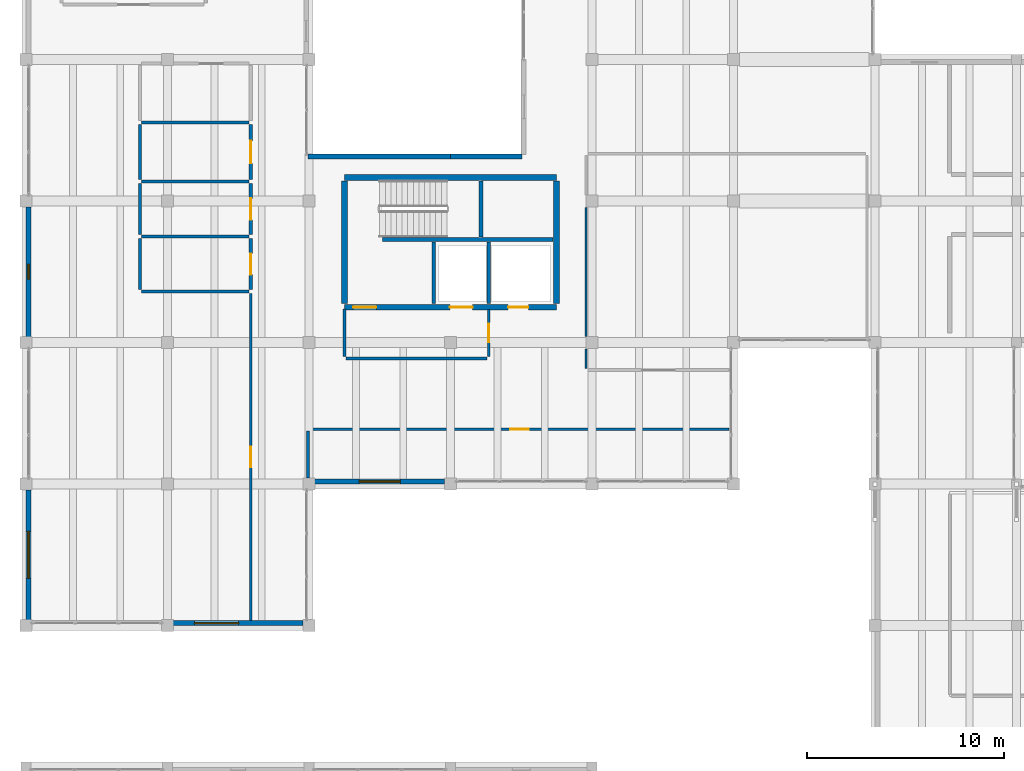
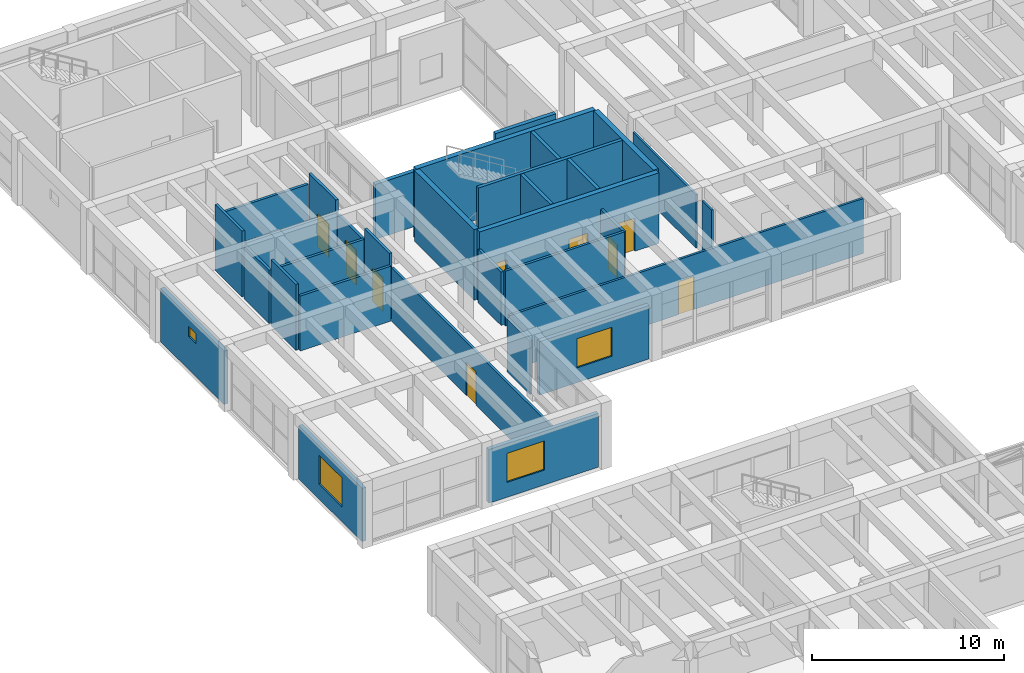
# One storey, part 138 of 153: 32 walls, 9 doors, 4 windows, 13 openings.
"""IFC4 building model written with IfcOpenShell, lengths in metres."""

from ifc_helpers import new_model, si_unit, direction, frame, frame_2d, origin, place, context, subcontext, project, spatial, rectangle, extrude, material, layer, layer_set, type_object, element, fill, save


model = new_model("IFC4")

# Units and contexts
model_context = context("Model", 3, precision=1e-05, world=origin(), true_north=direction((0.0, 1.0)))
body_context = subcontext(model_context, "Body", "Model", "MODEL_VIEW")
ifc_project = project(units=[si_unit("LENGTHUNIT", "METRE"), si_unit("AREAUNIT", "SQUARE_METRE"), si_unit("VOLUMEUNIT", "CUBIC_METRE"), si_unit("PLANEANGLEUNIT", "RADIAN"), si_unit("MASSUNIT", "GRAM", prefix="KILO")], contexts=[model_context])

# Site, building, storey
site_placement = place(None, origin())
site = spatial("IfcSite", under=ifc_project, at=site_placement, CompositionType="ELEMENT")
building_placement = place(site_placement, origin())
building = spatial("IfcBuilding", under=site, at=building_placement, Name="Bramvelor Terrace Health Centre", CompositionType="ELEMENT")
storey_placement = place(building_placement, frame((0.0, 0.0, 4.800048828125)))
storey = spatial("IfcBuildingStorey", under=building, at=storey_placement, Name="L02", CompositionType="ELEMENT", Elevation=4.800048828125)

# Walls
ifc_material_1 = material(Name="Acoustic clinical partition board", Category="gypsum")
ifc_layer_1 = layer(ifc_material_1, 0.1201171875)
ifc_layer_set_1 = layer_set([ifc_layer_1], Name="Acoustic clinical partition board")
wall_type_1 = type_object("IfcWallType", Name="WL-CLN-120", PredefinedType="PARTITIONING", material=ifc_layer_set_1)
wall_1_placement = place(storey_placement, frame((28.5, 85.092041015625, 0.0), z_axis=(0.0, 0.0, 1.0), x_axis=(0.0, 1.0, 0.0)))
element("IfcWall", 1, at=wall_1_placement, inside=storey, type_object=wall_type_1, Name="L02 Interior Partition 194", PredefinedType="PARTITIONING", context=body_context, shape_type="SweptSolid", body=[
    extrude(rectangle(XDim=0.992919921875, YDim=0.1201171875, at=frame_2d((0.49658203125, 0.0))), origin(), (0.0, 0.0, 1.0), 3.39990234375),
])
wall_2_placement = place(storey_placement, frame((28.5, 86.715087890625, 0.0), z_axis=(0.0, 0.0, 1.0), x_axis=(0.0, 1.0, 0.0)))
element("IfcWall", 2, at=wall_2_placement, inside=storey, type_object=wall_type_1, Name="L02 Interior Partition 195", PredefinedType="PARTITIONING", context=body_context, shape_type="SweptSolid", body=[
    extrude(rectangle(XDim=6.56982421875, YDim=0.1201171875, at=frame_2d((3.284912109375, 0.0))), origin(), (0.0, 0.0, 1.0), 3.39990234375),
])

# Wall, opening, door
ifc_material_2 = material(Name="Fire-rated gypsum and mineral wool", Category="gypsum")
ifc_layer_2 = layer(ifc_material_2, 0.139892578125)
ifc_layer_set_2 = layer_set([ifc_layer_2], Name="Fire-rated gypsum and mineral wool")
wall_type_2 = type_object("IfcWallType", Name="WL-COR-140", PredefinedType="PARTITIONING", material=ifc_layer_set_2)
wall_3_placement = place(storey_placement, frame((11.43994140625, 88.89990234375, 0.0), z_axis=(0.0, 0.0, 1.0), x_axis=(0.0, -1.0, 0.0)))
wall_3 = element("IfcWall", 3, at=wall_3_placement, inside=storey, type_object=wall_type_2, Name="L02 Interior Partition 188", PredefinedType="PARTITIONING", context=body_context, shape_type="SweptSolid", body=[
    extrude(rectangle(XDim=16.639892578125, YDim=0.139892578125, at=frame_2d((8.31982421875, 0.0))), origin(), (0.0, 0.0, 1.0), 3.39990234375),
])
opening_1_placement = place(wall_3_placement, frame((7.800048828125, 0.0, 0.0)))
opening_1 = element("IfcOpeningElement", 4, at=opening_1_placement, cuts=wall_3, Name="Opening FD-07", PredefinedType="OPENING", context=body_context, shape_type="SweptSolid", body=[
    extrude(rectangle(XDim=1.0400390625, YDim=2.1201171875, at=frame_2d((0.52001953125, 1.06005859375))), frame((0.0, 0.079833984375, 0.0), z_axis=(0.0, -1.0, 0.0), x_axis=(1.0, 0.0, 0.0)), (0.0, 0.0, 1.0), 0.159912109375),
])
ifc_material_3 = material(Name="Fire-rated steel and vision panel", Category="steel")
door_type_1 = type_object("IfcDoorType", Name="DR-FD60-104", OperationType="NOTDEFINED", PredefinedType="DOOR", material=ifc_material_3)
door_1_placement = place(opening_1_placement, origin())
door_1 = element("IfcDoor", 5, at=door_1_placement, inside=storey, type_object=door_type_1, Name="L02 Cardiology Echocardiography Clinic Fire Door", OperationType="SINGLE_SWING_LEFT", OverallHeight=2.1201171875, OverallWidth=1.0400390625, PredefinedType="DOOR", context=body_context, shape_type="SweptSolid", body=[
    extrude(rectangle(XDim=1.0400390625, YDim=2.1201171875, at=frame_2d((0.52001953125, 1.06005859375))), frame((0.0, 0.02490234375, 0.0), z_axis=(0.0, -1.0, 0.0), x_axis=(1.0, 0.0, 0.0)), (0.0, 0.0, 1.0), 0.050048828125),
])
fill(opening_1, door_1)

# Wall
wall_4_placement = place(storey_placement, frame((14.35205078125, 79.510009765625, 0.0), z_axis=(0.0, 0.0, 1.0), x_axis=(0.0, 1.0, 0.0)))
element("IfcWall", 6, at=wall_4_placement, inside=storey, type_object=wall_type_2, Name="L02 Interior Partition 189", PredefinedType="PARTITIONING", context=body_context, shape_type="SweptSolid", body=[
    extrude(rectangle(XDim=2.389892578125, YDim=0.139892578125, at=frame_2d((1.19482421875, 0.0))), origin(), (0.0, 0.0, 1.0), 3.39990234375),
])

# Wall, opening, door
wall_5_placement = place(storey_placement, frame((14.44189453125, 81.989990234375, 0.0), z_axis=(0.0, 0.0, 1.0), x_axis=(1.0, 0.0, 0.0)))
wall_5 = element("IfcWall", 7, at=wall_5_placement, inside=storey, type_object=wall_type_2, Name="L02 Interior Partition 190", PredefinedType="PARTITIONING", context=body_context, shape_type="SweptSolid", body=[
    extrude(rectangle(XDim=21.328125, YDim=0.139892578125, at=frame_2d((10.6640625, 0.0))), origin(), (0.0, 0.0, 1.0), 3.5),
])
opening_2_placement = place(wall_5_placement, frame((10.194091796875, 0.0, 0.0)))
opening_2 = element("IfcOpeningElement", 8, at=opening_2_placement, cuts=wall_5, Name="Opening FD-08", PredefinedType="OPENING", context=body_context, shape_type="SweptSolid", body=[
    extrude(rectangle(XDim=0.93994140625, YDim=2.10009765625, at=frame_2d((0.469970703125, 1.050048828125))), frame((0.0, 0.079833984375, 0.0), z_axis=(0.0, -1.0, 0.0), x_axis=(1.0, 0.0, 0.0)), (0.0, 0.0, 1.0), 0.159912109375),
])
ifc_material_4 = material(Name="Fire-rated steel and vision panel", Category="steel")
door_type_2 = type_object("IfcDoorType", Name="DR-FD60-094", OperationType="NOTDEFINED", PredefinedType="DOOR", material=ifc_material_4)
door_2_placement = place(opening_2_placement, origin())
door_2 = element("IfcDoor", 9, at=door_2_placement, inside=storey, type_object=door_type_2, Name="L02 Endocrinology and Metabolic Clinic Fire Door", OperationType="SINGLE_SWING_RIGHT", OverallHeight=2.10009765625, OverallWidth=0.93994140625, PredefinedType="DOOR", context=body_context, shape_type="SweptSolid", body=[
    extrude(rectangle(XDim=0.93994140625, YDim=2.10009765625, at=frame_2d((0.469970703125, 1.050048828125))), frame((0.0, 0.02490234375, 0.0), z_axis=(0.0, -1.0, 0.0), x_axis=(1.0, 0.0, 0.0)), (0.0, 0.0, 1.0), 0.050048828125),
])
fill(opening_2, door_2)

# Walls
ifc_material_5 = material(Name="Concrete C40/50", Category="concrete")
ifc_layer_3 = layer(ifc_material_5, 0.199951171875)
ifc_layer_set_3 = layer_set([ifc_layer_3], Name="Concrete C40/50")
wall_type_3 = type_object("IfcWallType", Name="WL-CORE-200", PredefinedType="SHEAR", material=ifc_layer_set_3)
wall_6_placement = place(storey_placement, frame((18.14990234375, 91.64990234375, 0.0), z_axis=(0.0, 0.0, 1.0), x_axis=(1.0, 0.0, 0.0)))
element("IfcWall", 10, at=wall_6_placement, inside=storey, type_object=wall_type_3, Name="C2 L02 Core Shear Wall", PredefinedType="SHEAR", context=body_context, shape_type="SweptSolid", body=[
    extrude(rectangle(XDim=8.670166015625, YDim=0.199951171875, at=frame_2d((4.3349609375, 0.0))), origin(), (0.0, 0.0, 1.0), 4.5),
])
wall_7_placement = place(storey_placement, frame((23.155029296875, 91.77001953125, 0.0), z_axis=(0.0, 0.0, 1.0), x_axis=(0.0, 1.0, 0.0)))
element("IfcWall", 11, at=wall_7_placement, inside=storey, type_object=wall_type_3, Name="C2 L02 Core Shear Wall", PredefinedType="SHEAR", context=body_context, shape_type="SweptSolid", body=[
    extrude(rectangle(XDim=2.85009765625, YDim=0.199951171875, at=frame_2d((1.425048828125, 0.0))), origin(), (0.0, 0.0, 1.0), 4.5),
])
for number, where, z_axis, x_axis, name in (
    (12, (20.75, 88.3798828125, 0.0), (0.0, 0.0, 1.0), (0.0, 1.0, 0.0), "C2 L02 Core Shear Wall"),
    (13, (23.550048828125, 88.3798828125, 0.0), (0.0, 0.0, 1.0), (0.0, 1.0, 0.0), "C2 L02 Lift Divider Wall"),
):
    element("IfcWall", number, at=place(storey_placement, frame(where, z_axis=z_axis, x_axis=x_axis)), inside=storey, type_object=wall_type_3, Name=name, PredefinedType="SHEAR", context=body_context, shape_type="SweptSolid", body=[
        extrude(rectangle(XDim=3.150146484375, YDim=0.199951171875, at=frame_2d((1.5751953125, 0.0))), origin(), (0.0, 0.0, 1.0), 4.5),
    ])

# Wall, openings, doors
ifc_material_6 = material(Name="Concrete C40/50", Category="concrete")
ifc_layer_4 = layer(ifc_material_6, 0.300048828125)
ifc_layer_set_4 = layer_set([ifc_layer_4], Name="Concrete C40/50")
wall_type_4 = type_object("IfcWallType", Name="WL-CORE-300", PredefinedType="SHEAR", material=ifc_layer_set_4)
wall_8_placement = place(storey_placement, frame((16.199951171875, 88.199951171875, 0.0), z_axis=(0.0, 0.0, 1.0), x_axis=(1.0, 0.0, 0.0)))
wall_8 = element("IfcWall", 14, at=wall_8_placement, inside=storey, type_object=wall_type_4, Name="C2 L02 Core Shear Wall", PredefinedType="SHEAR", context=body_context, shape_type="SweptSolid", body=[
    extrude(rectangle(XDim=10.800048828125, YDim=0.300048828125, at=frame_2d((5.39990234375, 0.0))), origin(), (0.0, 0.0, 1.0), 4.5),
])
opening_3_placement = place(wall_8_placement, frame((0.449951171875, 0.0, 0.0)))
opening_3 = element("IfcOpeningElement", 15, at=opening_3_placement, cuts=wall_8, Name="Opening FD-02", PredefinedType="OPENING", context=body_context, shape_type="SweptSolid", body=[
    extrude(rectangle(XDim=1.179931640625, YDim=2.159912109375, at=frame_2d((0.58984375, 1.080078125))), frame((0.0, 0.159912109375, 0.0), z_axis=(0.0, -1.0, 0.0), x_axis=(1.0, 0.0, 0.0)), (0.0, 0.0, 1.0), 0.320068359375),
])
opening_4_placement = place(wall_8_placement, frame((5.375, 0.0, 0.0)))
opening_4 = element("IfcOpeningElement", 16, at=opening_4_placement, cuts=wall_8, Name="Opening LD-1", PredefinedType="OPENING", context=body_context, shape_type="SweptSolid", body=[
    extrude(rectangle(XDim=1.14990234375, YDim=2.14990234375, at=frame_2d((0.574951171875, 1.074951171875))), frame((0.0, 0.159912109375, 0.0), z_axis=(0.0, -1.0, 0.0), x_axis=(1.0, 0.0, 0.0)), (0.0, 0.0, 1.0), 0.320068359375),
])
opening_5_placement = place(wall_8_placement, frame((8.340087890625, 0.0, 0.0)))
opening_5 = element("IfcOpeningElement", 17, at=opening_5_placement, cuts=wall_8, Name="Opening LD-2", PredefinedType="OPENING", context=body_context, shape_type="SweptSolid", body=[
    extrude(rectangle(XDim=1.02001953125, YDim=2.1201171875, at=frame_2d((0.510009765625, 1.06005859375))), frame((0.0, 0.159912109375, 0.0), z_axis=(0.0, -1.0, 0.0), x_axis=(1.0, 0.0, 0.0)), (0.0, 0.0, 1.0), 0.320068359375),
])
ifc_material_7 = material(Name="Fire-rated steel and vision panel", Category="steel")
door_type_3 = type_object("IfcDoorType", Name="DR-FD90-118", OperationType="NOTDEFINED", PredefinedType="DOOR", material=ifc_material_7)
door_3_placement = place(opening_3_placement, origin())
door_3 = element("IfcDoor", 18, at=door_3_placement, inside=storey, type_object=door_type_3, Name="C2 L02 Core Stair Fire Door", OperationType="SINGLE_SWING_LEFT", OverallHeight=2.159912109375, OverallWidth=1.179931640625, PredefinedType="DOOR", context=body_context, shape_type="SweptSolid", body=[
    extrude(rectangle(XDim=1.179931640625, YDim=2.159912109375, at=frame_2d((0.58984375, 1.080078125))), frame((0.0, 0.02490234375, 0.0), z_axis=(0.0, -1.0, 0.0), x_axis=(1.0, 0.0, 0.0)), (0.0, 0.0, 1.0), 0.050048828125),
])
fill(opening_3, door_3)
ifc_material_8 = material(Name="Brushed stainless steel 316", Category="steel")
door_type_4 = type_object("IfcDoorType", Name="DR-LIFT-FF115", OperationType="DOUBLE_DOOR_SLIDING", PredefinedType="DOOR", material=ifc_material_8)
door_4_placement = place(opening_4_placement, origin())
door_4 = element("IfcDoor", 19, at=door_4_placement, inside=storey, type_object=door_type_4, Name="Lift LF-02 L02 Sliding Landing Door", OperationType="DOUBLE_DOOR_SLIDING", OverallHeight=2.14990234375, OverallWidth=1.14990234375, PredefinedType="DOOR", context=body_context, shape_type="SweptSolid", body=[
    extrude(rectangle(XDim=1.14990234375, YDim=2.14990234375, at=frame_2d((0.574951171875, 1.074951171875))), frame((0.0, 0.02490234375, 0.0), z_axis=(0.0, -1.0, 0.0), x_axis=(1.0, 0.0, 0.0)), (0.0, 0.0, 1.0), 0.050048828125),
])
fill(opening_4, door_4)
ifc_material_9 = material(Name="Brushed stainless steel 316", Category="steel")
door_type_5 = type_object("IfcDoorType", Name="DR-LIFT-PS102", OperationType="SLIDING_TO_LEFT", PredefinedType="DOOR", material=ifc_material_9)
door_5_placement = place(opening_5_placement, origin())
door_5 = element("IfcDoor", 20, at=door_5_placement, inside=storey, type_object=door_type_5, Name="Lift LP-02 L02 Sliding Landing Door", OperationType="SLIDING_TO_LEFT", OverallHeight=2.1201171875, OverallWidth=1.02001953125, PredefinedType="DOOR", context=body_context, shape_type="SweptSolid", body=[
    extrude(rectangle(XDim=1.02001953125, YDim=2.1201171875, at=frame_2d((0.510009765625, 1.06005859375))), frame((0.0, 0.02490234375, 0.0), z_axis=(0.0, -1.0, 0.0), x_axis=(1.0, 0.0, 0.0)), (0.0, 0.0, 1.0), 0.050048828125),
])
fill(opening_5, door_5)

# Walls
wall_9_placement = place(storey_placement, frame((16.199951171875, 94.800048828125, 0.0), z_axis=(0.0, 0.0, 1.0), x_axis=(1.0, 0.0, 0.0)))
element("IfcWall", 21, at=wall_9_placement, inside=storey, type_object=wall_type_4, Name="C2 L02 Core Shear Wall", PredefinedType="SHEAR", context=body_context, shape_type="SweptSolid", body=[
    extrude(rectangle(XDim=10.800048828125, YDim=0.300048828125, at=frame_2d((5.39990234375, 0.0))), origin(), (0.0, 0.0, 1.0), 4.5),
])
for number, where, z_axis, x_axis, name in (
    (22, (16.199951171875, 88.3798828125, 0.0), (0.0, 0.0, 1.0), (0.0, 1.0, 0.0), "C2 L02 Core Shear Wall"),
    (23, (27.0, 88.3798828125, 0.0), (0.0, 0.0, 1.0), (0.0, 1.0, 0.0), "C2 L02 Core Shear Wall"),
):
    element("IfcWall", number, at=place(storey_placement, frame(where, z_axis=z_axis, x_axis=x_axis)), inside=storey, type_object=wall_type_4, Name=name, PredefinedType="SHEAR", context=body_context, shape_type="SweptSolid", body=[
        extrude(rectangle(XDim=6.240234375, YDim=0.300048828125, at=frame_2d((3.1201171875, 0.0))), origin(), (0.0, 0.0, 1.0), 4.5),
    ])

# Wall, opening, window
ifc_material_10 = material(Name="Precast concrete C40/50", Category="concrete")
ifc_layer_5 = layer(ifc_material_10, 0.239990234375)
ifc_layer_set_5 = layer_set([ifc_layer_5], Name="Precast concrete C40/50")
wall_type_5 = type_object("IfcWallType", Name="WL-EXT-RC240", PredefinedType="SOLIDWALL", material=ifc_layer_set_5)
wall_10_placement = place(storey_placement, frame((21.304931640625, 79.330078125, 0.0), z_axis=(0.0, 0.0, 1.0), x_axis=(-1.0, 0.0, 0.0)))
wall_10 = element("IfcWall", 24, at=wall_10_placement, inside=storey, type_object=wall_type_5, Name="L02 Exterior Facade Wall 9", PredefinedType="SOLIDWALL", context=body_context, shape_type="SweptSolid", body=[
    extrude(rectangle(XDim=6.60986328125, YDim=0.239990234375, at=frame_2d((3.304931640625, 0.0))), origin(), (0.0, 0.0, 1.0), 3.39990234375),
])
opening_6_placement = place(wall_10_placement, frame((2.2548828125, 0.0, 0.949951171875)))
opening_6 = element("IfcOpeningElement", 25, at=opening_6_placement, cuts=wall_10, Name="Opening WN-58", PredefinedType="OPENING", context=body_context, shape_type="SweptSolid", body=[
    extrude(rectangle(XDim=2.10009765625, YDim=1.85009765625, at=frame_2d((1.050048828125, 0.925048828125))), frame((0.0, 0.1298828125, 0.0), z_axis=(0.0, -1.0, 0.0), x_axis=(1.0, 0.0, 0.0)), (0.0, 0.0, 1.0), 0.260009765625),
])
ifc_material_11 = material(Name="Double low-E laminated glass", Category="glass")
window_type_1 = type_object("IfcWindowType", Name="WIN-EXT-58", PartitioningType="SINGLE_PANEL", PredefinedType="WINDOW", material=ifc_material_11)
window_1_placement = place(opening_6_placement, origin())
window_1 = element("IfcWindow", 26, at=window_1_placement, inside=storey, type_object=window_type_1, Name="L02 Scheduled Clinical Window 58", OverallHeight=1.85009765625, OverallWidth=2.10009765625, PartitioningType="SINGLE_PANEL", PredefinedType="WINDOW", context=body_context, shape_type="SweptSolid", body=[
    extrude(rectangle(XDim=2.10009765625, YDim=1.85009765625, at=frame_2d((1.050048828125, 0.925048828125))), frame((0.0, 0.030029296875, 0.0), z_axis=(0.0, -1.0, 0.0), x_axis=(1.0, 0.0, 0.0)), (0.0, 0.0, 1.0), 0.06005859375),
])
fill(opening_6, window_1)

wall_11_placement = place(storey_placement, frame((14.10498046875, 72.1298828125, 0.0), z_axis=(0.0, 0.0, 1.0), x_axis=(-1.0, 0.0, 0.0)))
wall_11 = element("IfcWall", 27, at=wall_11_placement, inside=storey, type_object=wall_type_5, Name="L02 Exterior Facade Wall 11", PredefinedType="SOLIDWALL", context=body_context, shape_type="SweptSolid", body=[
    extrude(rectangle(XDim=6.60986328125, YDim=0.239990234375, at=frame_2d((3.304931640625, 0.0))), origin(), (0.0, 0.0, 1.0), 3.419921875),
])
opening_7_placement = place(wall_11_placement, frame((3.280029296875, 0.0, 0.949951171875)))
opening_7 = element("IfcOpeningElement", 28, at=opening_7_placement, cuts=wall_11, Name="Opening WN-59", PredefinedType="OPENING", context=body_context, shape_type="SweptSolid", body=[
    extrude(rectangle(XDim=2.25, YDim=1.85009765625, at=frame_2d((1.125, 0.925048828125))), frame((0.0, 0.1298828125, 0.0), z_axis=(0.0, -1.0, 0.0), x_axis=(1.0, 0.0, 0.0)), (0.0, 0.0, 1.0), 0.260009765625),
])
ifc_material_12 = material(Name="Double low-E laminated glass", Category="glass")
window_type_2 = type_object("IfcWindowType", Name="WIN-EXT-59", PartitioningType="SINGLE_PANEL", PredefinedType="WINDOW", material=ifc_material_12)
window_2_placement = place(opening_7_placement, origin())
window_2 = element("IfcWindow", 29, at=window_2_placement, inside=storey, type_object=window_type_2, Name="L02 Scheduled Clinical Window 59", OverallHeight=1.85009765625, OverallWidth=2.25, PartitioningType="SINGLE_PANEL", PredefinedType="WINDOW", context=body_context, shape_type="SweptSolid", body=[
    extrude(rectangle(XDim=2.25, YDim=1.85009765625, at=frame_2d((1.125, 0.925048828125))), frame((0.0, 0.030029296875, 0.0), z_axis=(0.0, -1.0, 0.0), x_axis=(1.0, 0.0, 0.0)), (0.0, 0.0, 1.0), 0.06005859375),
])
fill(opening_7, window_2)

wall_12_placement = place(storey_placement, frame((0.1298828125, 72.294921875, 0.0), z_axis=(0.0, 0.0, 1.0), x_axis=(0.0, 1.0, 0.0)))
wall_12 = element("IfcWall", 30, at=wall_12_placement, inside=storey, type_object=wall_type_5, Name="L02 Exterior Facade Wall 13", PredefinedType="SOLIDWALL", context=body_context, shape_type="SweptSolid", body=[
    extrude(rectangle(XDim=6.610107421875, YDim=0.239990234375, at=frame_2d((3.30517578125, 0.0))), origin(), (0.0, 0.0, 1.0), 3.39990234375),
])
opening_8_placement = place(wall_12_placement, frame((2.10498046875, 0.0, 0.949951171875)))
opening_8 = element("IfcOpeningElement", 31, at=opening_8_placement, cuts=wall_12, Name="Opening WN-60", PredefinedType="OPENING", context=body_context, shape_type="SweptSolid", body=[
    extrude(rectangle(XDim=2.39990234375, YDim=1.85009765625, at=frame_2d((1.199951171875, 0.925048828125))), frame((0.0, 0.1298828125, 0.0), z_axis=(0.0, -1.0, 0.0), x_axis=(1.0, 0.0, 0.0)), (0.0, 0.0, 1.0), 0.260009765625),
])
ifc_material_13 = material(Name="Double low-E laminated glass", Category="glass")
window_type_3 = type_object("IfcWindowType", Name="WIN-EXT-60", PartitioningType="SINGLE_PANEL", PredefinedType="WINDOW", material=ifc_material_13)
window_3_placement = place(opening_8_placement, origin())
window_3 = element("IfcWindow", 32, at=window_3_placement, inside=storey, type_object=window_type_3, Name="L02 Scheduled Clinical Window 60", OverallHeight=1.85009765625, OverallWidth=2.39990234375, PartitioningType="SINGLE_PANEL", PredefinedType="WINDOW", context=body_context, shape_type="SweptSolid", body=[
    extrude(rectangle(XDim=2.39990234375, YDim=1.85009765625, at=frame_2d((1.199951171875, 0.925048828125))), frame((0.0, 0.030029296875, 0.0), z_axis=(0.0, -1.0, 0.0), x_axis=(1.0, 0.0, 0.0)), (0.0, 0.0, 1.0), 0.06005859375),
])
fill(opening_8, window_3)

wall_13_placement = place(storey_placement, frame((0.1298828125, 86.695068359375, 0.0), z_axis=(0.0, 0.0, 1.0), x_axis=(0.0, 1.0, 0.0)))
wall_13 = element("IfcWall", 33, at=wall_13_placement, inside=storey, type_object=wall_type_5, Name="L02 Exterior Facade Wall 15", PredefinedType="SOLIDWALL", context=body_context, shape_type="SweptSolid", body=[
    extrude(rectangle(XDim=6.60986328125, YDim=0.239990234375, at=frame_2d((3.304931640625, 0.0))), origin(), (0.0, 0.0, 1.0), 3.39990234375),
])
opening_9_placement = place(wall_13_placement, frame((2.929931640625, 0.0, 2.10009765625)))
opening_9 = element("IfcOpeningElement", 34, at=opening_9_placement, cuts=wall_13, Name="Opening WN-01", PredefinedType="OPENING", context=body_context, shape_type="SweptSolid", body=[
    extrude(rectangle(XDim=0.75, YDim=0.64990234375, at=frame_2d((0.375, 0.324951171875))), frame((0.0, 0.1298828125, 0.0), z_axis=(0.0, -1.0, 0.0), x_axis=(1.0, 0.0, 0.0)), (0.0, 0.0, 1.0), 0.260009765625),
])
ifc_material_14 = material(Name="Double low-E laminated glass", Category="glass")
window_type_4 = type_object("IfcWindowType", Name="WIN-EXT-01", PartitioningType="SINGLE_PANEL", PredefinedType="WINDOW", material=ifc_material_14)
window_4_placement = place(opening_9_placement, origin())
window_4 = element("IfcWindow", 35, at=window_4_placement, inside=storey, type_object=window_type_4, Name="L02 Scheduled Clinical Window 61", OverallHeight=0.64990234375, OverallWidth=0.75, PartitioningType="SINGLE_PANEL", PredefinedType="WINDOW", context=body_context, shape_type="SweptSolid", body=[
    extrude(rectangle(XDim=0.75, YDim=0.64990234375, at=frame_2d((0.375, 0.324951171875))), frame((0.0, 0.030029296875, 0.0), z_axis=(0.0, -1.0, 0.0), x_axis=(1.0, 0.0, 0.0)), (0.0, 0.0, 1.0), 0.06005859375),
])
fill(opening_9, window_4)

# Walls
wall_14_placement = place(storey_placement, frame((14.360107421875, 95.8701171875, 0.0), z_axis=(0.0, 0.0, 1.0), x_axis=(1.0, 0.0, 0.0)))
element("IfcWall", 36, at=wall_14_placement, inside=storey, type_object=wall_type_5, Name="L02 Exterior Facade Wall 125", PredefinedType="SOLIDWALL", context=body_context, shape_type="SweptSolid", body=[
    extrude(rectangle(XDim=7.239990234375, YDim=0.239990234375, at=frame_2d((3.6201171875, 0.0))), origin(), (0.0, 0.0, 1.0), 3.5),
])
wall_15_placement = place(storey_placement, frame((21.60009765625, 95.8701171875, 0.0), z_axis=(0.0, 0.0, 1.0), x_axis=(1.0, 0.0, 0.0)))
element("IfcWall", 37, at=wall_15_placement, inside=storey, type_object=wall_type_5, Name="L02 Exterior Facade Wall 126", PredefinedType="SOLIDWALL", context=body_context, shape_type="SweptSolid", body=[
    extrude(rectangle(XDim=3.639892578125, YDim=0.239990234375, at=frame_2d((1.81982421875, 0.0))), origin(), (0.0, 0.0, 1.0), 4.199951171875),
])
ifc_material_15 = material(Name="Fire-rated gypsum and mineral wool", Category="gypsum")
ifc_layer_6 = layer(ifc_material_15, 0.14990234375)
ifc_layer_set_6 = layer_set([ifc_layer_6], Name="Fire-rated gypsum and mineral wool")
wall_type_6 = type_object("IfcWallType", Name="WL-FIR-150", PredefinedType="PARTITIONING", material=ifc_layer_set_6)
wall_16_placement = place(storey_placement, frame((16.199951171875, 85.68994140625, 0.0), z_axis=(0.0, 0.0, 1.0), x_axis=(0.0, 1.0, 0.0)))
element("IfcWall", 38, at=wall_16_placement, inside=storey, type_object=wall_type_6, Name="L02 Interior Partition 143", PredefinedType="PARTITIONING", context=body_context, shape_type="SweptSolid", body=[
    extrude(rectangle(XDim=2.4150390625, YDim=0.14990234375, at=frame_2d((1.20751953125, 0.0))), origin(), (0.0, 0.0, 1.0), 3.39990234375),
])

# Wall, opening, door
wall_17_placement = place(storey_placement, frame((23.550048828125, 88.083251953125, 0.0), z_axis=(0.0, 0.0, 1.0), x_axis=(0.0, -1.0, 0.0)))
wall_17 = element("IfcWall", 39, at=wall_17_placement, inside=storey, type_object=wall_type_6, Name="L02 Interior Partition 144", PredefinedType="PARTITIONING", context=body_context, shape_type="SweptSolid", body=[
    extrude(rectangle(XDim=2.393310546875, YDim=0.14990234375, at=frame_2d((1.19677734375, 0.0))), origin(), (0.0, 0.0, 1.0), 3.39990234375),
])
opening_10_placement = place(wall_17_placement, frame((0.7265625, 0.0, 0.0)))
opening_10 = element("IfcOpeningElement", 40, at=opening_10_placement, cuts=wall_17, Name="Opening FD-08", PredefinedType="OPENING", context=body_context, shape_type="SweptSolid", body=[
    extrude(rectangle(XDim=0.93994140625, YDim=2.10009765625, at=frame_2d((0.469970703125, 1.050048828125))), frame((0.0, 0.0849609375, 0.0), z_axis=(0.0, -1.0, 0.0), x_axis=(1.0, 0.0, 0.0)), (0.0, 0.0, 1.0), 0.169921875),
])
door_6_placement = place(opening_10_placement, origin())
door_6 = element("IfcDoor", 41, at=door_6_placement, inside=storey, type_object=door_type_2, Name="L02 Fire Compartment Lobby Door 57", OperationType="SINGLE_SWING_LEFT", OverallHeight=2.10009765625, OverallWidth=0.93994140625, PredefinedType="DOOR", context=body_context, shape_type="SweptSolid", body=[
    extrude(rectangle(XDim=0.93994140625, YDim=2.10009765625, at=frame_2d((0.469970703125, 1.050048828125))), frame((0.0, 0.02490234375, 0.0), z_axis=(0.0, -1.0, 0.0), x_axis=(1.0, 0.0, 0.0)), (0.0, 0.0, 1.0), 0.050048828125),
])
fill(opening_10, door_6)

# Walls
wall_18_placement = place(storey_placement, frame((23.4599609375, 85.60009765625, 0.0), z_axis=(0.0, 0.0, 1.0), x_axis=(-1.0, 0.0, 0.0)))
element("IfcWall", 42, at=wall_18_placement, inside=storey, type_object=wall_type_6, Name="L02 Interior Partition 145", PredefinedType="PARTITIONING", context=body_context, shape_type="SweptSolid", body=[
    extrude(rectangle(XDim=7.169921875, YDim=0.14990234375, at=frame_2d((3.5849609375, 0.0))), origin(), (0.0, 0.0, 1.0), 3.5),
])
ifc_material_16 = material(Name="Moisture-resistant service chase board", Category="gypsum")
ifc_layer_7 = layer(ifc_material_16, 0.159912109375)
ifc_layer_set_7 = layer_set([ifc_layer_7], Name="Moisture-resistant service chase board")
wall_type_7 = type_object("IfcWallType", Name="WL-PLM-160", PredefinedType="PLUMBINGWALL", material=ifc_layer_set_7)
wall_19_placement = place(storey_placement, frame((11.35009765625, 97.60009765625, 0.0), z_axis=(0.0, 0.0, 1.0), x_axis=(-1.0, 0.0, 0.0)))
element("IfcWall", 43, at=wall_19_placement, inside=storey, type_object=wall_type_7, Name="L02 Interior Partition 149", PredefinedType="PLUMBINGWALL", context=body_context, shape_type="SweptSolid", body=[
    extrude(rectangle(XDim=5.460205078125, YDim=0.159912109375, at=frame_2d((2.72998046875, 0.0))), origin(), (0.0, 0.0, 1.0), 3.5),
])

# Wall, opening, door
wall_20_placement = place(storey_placement, frame((11.43994140625, 97.5, 0.0), z_axis=(0.0, 0.0, 1.0), x_axis=(0.0, -1.0, 0.0)))
wall_20 = element("IfcWall", 44, at=wall_20_placement, inside=storey, type_object=wall_type_7, Name="L02 Interior Partition 151", PredefinedType="PLUMBINGWALL", context=body_context, shape_type="SweptSolid", body=[
    extrude(rectangle(XDim=2.81005859375, YDim=0.159912109375, at=frame_2d((1.405029296875, 0.0))), origin(), (0.0, 0.0, 1.0), 4.199951171875),
])
opening_11_placement = place(wall_20_placement, frame((0.8349609375, 0.0, 0.0)))
opening_11 = element("IfcOpeningElement", 45, at=opening_11_placement, cuts=wall_20, Name="Opening ID-C06", PredefinedType="OPENING", context=body_context, shape_type="SweptSolid", body=[
    extrude(rectangle(XDim=1.139892578125, YDim=2.1201171875, at=frame_2d((0.56982421875, 1.06005859375))), frame((0.0, 0.08984375, 0.0), z_axis=(0.0, -1.0, 0.0), x_axis=(1.0, 0.0, 0.0)), (0.0, 0.0, 1.0), 0.179931640625),
])
ifc_material_17 = material(Name="Solid-core acoustic timber laminate", Category="wood")
door_type_6 = type_object("IfcDoorType", Name="DR-CLN-06", OperationType="NOTDEFINED", PredefinedType="DOOR", material=ifc_material_17)
door_7_placement = place(opening_11_placement, origin())
door_7 = element("IfcDoor", 46, at=door_7_placement, inside=storey, type_object=door_type_6, Name="L02 Accessible Female WC Clinical Door", OperationType="SINGLE_SWING_RIGHT", OverallHeight=2.1201171875, OverallWidth=1.139892578125, PredefinedType="DOOR", context=body_context, shape_type="SweptSolid", body=[
    extrude(rectangle(XDim=1.139892578125, YDim=2.1201171875, at=frame_2d((0.56982421875, 1.06005859375))), frame((0.0, 0.02490234375, 0.0), z_axis=(0.0, -1.0, 0.0), x_axis=(1.0, 0.0, 0.0)), (0.0, 0.0, 1.0), 0.050048828125),
])
fill(opening_11, door_7)

# Walls
wall_21_placement = place(storey_placement, frame((11.35009765625, 94.60009765625, 0.0), z_axis=(0.0, 0.0, 1.0), x_axis=(-1.0, 0.0, 0.0)))
element("IfcWall", 47, at=wall_21_placement, inside=storey, type_object=wall_type_7, Name="L02 Interior Partition 152", PredefinedType="PLUMBINGWALL", context=body_context, shape_type="SweptSolid", body=[
    extrude(rectangle(XDim=5.460205078125, YDim=0.159912109375, at=frame_2d((2.72998046875, 0.0))), origin(), (0.0, 0.0, 1.0), 3.5),
])
wall_22_placement = place(storey_placement, frame((5.800048828125, 94.68994140625, 0.0), z_axis=(0.0, 0.0, 1.0), x_axis=(0.0, 1.0, 0.0)))
element("IfcWall", 48, at=wall_22_placement, inside=storey, type_object=wall_type_7, Name="L02 Interior Partition 153", PredefinedType="PLUMBINGWALL", context=body_context, shape_type="SweptSolid", body=[
    extrude(rectangle(XDim=2.81005859375, YDim=0.159912109375, at=frame_2d((1.405029296875, 0.0))), origin(), (0.0, 0.0, 1.0), 4.199951171875),
])

# Wall, opening, door
wall_23_placement = place(storey_placement, frame((11.43994140625, 94.5, 0.0), z_axis=(0.0, 0.0, 1.0), x_axis=(0.0, -1.0, 0.0)))
wall_23 = element("IfcWall", 49, at=wall_23_placement, inside=storey, type_object=wall_type_7, Name="L02 Interior Partition 154", PredefinedType="PLUMBINGWALL", context=body_context, shape_type="SweptSolid", body=[
    extrude(rectangle(XDim=2.610107421875, YDim=0.159912109375, at=frame_2d((1.30517578125, 0.0))), origin(), (0.0, 0.0, 1.0), 3.39990234375),
])
opening_12_placement = place(wall_23_placement, frame((0.760009765625, 0.0, 0.0)))
opening_12 = element("IfcOpeningElement", 50, at=opening_12_placement, cuts=wall_23, Name="Opening ID-C07", PredefinedType="OPENING", context=body_context, shape_type="SweptSolid", body=[
    extrude(rectangle(XDim=1.090087890625, YDim=2.219970703125, at=frame_2d((0.544921875, 1.10986328125))), frame((0.0, 0.08984375, 0.0), z_axis=(0.0, -1.0, 0.0), x_axis=(1.0, 0.0, 0.0)), (0.0, 0.0, 1.0), 0.179931640625),
])
ifc_material_18 = material(Name="Solid-core acoustic timber laminate", Category="wood")
door_type_7 = type_object("IfcDoorType", Name="DR-CLN-07", OperationType="NOTDEFINED", PredefinedType="DOOR", material=ifc_material_18)
door_8_placement = place(opening_12_placement, origin())
door_8 = element("IfcDoor", 51, at=door_8_placement, inside=storey, type_object=door_type_7, Name="L02 Public Male WC Clinical Door", OperationType="SINGLE_SWING_LEFT", OverallHeight=2.219970703125, OverallWidth=1.090087890625, PredefinedType="DOOR", context=body_context, shape_type="SweptSolid", body=[
    extrude(rectangle(XDim=1.090087890625, YDim=2.219970703125, at=frame_2d((0.544921875, 1.10986328125))), frame((0.0, 0.02490234375, 0.0), z_axis=(0.0, -1.0, 0.0), x_axis=(1.0, 0.0, 0.0)), (0.0, 0.0, 1.0), 0.050048828125),
])
fill(opening_12, door_8)

# Walls
wall_24_placement = place(storey_placement, frame((11.35009765625, 91.800048828125, 0.0), z_axis=(0.0, 0.0, 1.0), x_axis=(-1.0, 0.0, 0.0)))
element("IfcWall", 52, at=wall_24_placement, inside=storey, type_object=wall_type_7, Name="L02 Interior Partition 155", PredefinedType="PLUMBINGWALL", context=body_context, shape_type="SweptSolid", body=[
    extrude(rectangle(XDim=5.460205078125, YDim=0.159912109375, at=frame_2d((2.72998046875, 0.0))), origin(), (0.0, 0.0, 1.0), 3.5),
])
wall_25_placement = place(storey_placement, frame((5.800048828125, 91.889892578125, 0.0), z_axis=(0.0, 0.0, 1.0), x_axis=(0.0, 1.0, 0.0)))
element("IfcWall", 53, at=wall_25_placement, inside=storey, type_object=wall_type_7, Name="L02 Interior Partition 156", PredefinedType="PLUMBINGWALL", context=body_context, shape_type="SweptSolid", body=[
    extrude(rectangle(XDim=2.610107421875, YDim=0.159912109375, at=frame_2d((1.30517578125, 0.0))), origin(), (0.0, 0.0, 1.0), 3.39990234375),
])

# Wall, opening, door
wall_26_placement = place(storey_placement, frame((11.43994140625, 91.699951171875, 0.0), z_axis=(0.0, 0.0, 1.0), x_axis=(0.0, -1.0, 0.0)))
wall_26 = element("IfcWall", 54, at=wall_26_placement, inside=storey, type_object=wall_type_7, Name="L02 Interior Partition 157", PredefinedType="PLUMBINGWALL", context=body_context, shape_type="SweptSolid", body=[
    extrude(rectangle(XDim=2.60986328125, YDim=0.159912109375, at=frame_2d((1.304931640625, 0.0))), origin(), (0.0, 0.0, 1.0), 4.199951171875),
])
opening_13_placement = place(wall_26_placement, frame((0.77490234375, 0.0, 0.0)))
opening_13 = element("IfcOpeningElement", 55, at=opening_13_placement, cuts=wall_26, Name="Opening ID-C08", PredefinedType="OPENING", context=body_context, shape_type="SweptSolid", body=[
    extrude(rectangle(XDim=1.06005859375, YDim=2.139892578125, at=frame_2d((0.530029296875, 1.06982421875))), frame((0.0, 0.08984375, 0.0), z_axis=(0.0, -1.0, 0.0), x_axis=(1.0, 0.0, 0.0)), (0.0, 0.0, 1.0), 0.179931640625),
])
ifc_material_19 = material(Name="Solid-core acoustic timber laminate", Category="wood")
door_type_8 = type_object("IfcDoorType", Name="DR-CLN-08", OperationType="NOTDEFINED", PredefinedType="DOOR", material=ifc_material_19)
door_9_placement = place(opening_13_placement, origin())
door_9 = element("IfcDoor", 56, at=door_9_placement, inside=storey, type_object=door_type_8, Name="L02 Public Female WC Clinical Door", OperationType="SINGLE_SWING_RIGHT", OverallHeight=2.139892578125, OverallWidth=1.06005859375, PredefinedType="DOOR", context=body_context, shape_type="SweptSolid", body=[
    extrude(rectangle(XDim=1.06005859375, YDim=2.139892578125, at=frame_2d((0.530029296875, 1.06982421875))), frame((0.0, 0.02490234375, 0.0), z_axis=(0.0, -1.0, 0.0), x_axis=(1.0, 0.0, 0.0)), (0.0, 0.0, 1.0), 0.050048828125),
])
fill(opening_13, door_9)

# Walls
wall_27_placement = place(storey_placement, frame((11.35009765625, 89.0, 0.0), z_axis=(0.0, 0.0, 1.0), x_axis=(-1.0, 0.0, 0.0)))
element("IfcWall", 57, at=wall_27_placement, inside=storey, type_object=wall_type_7, Name="L02 Interior Partition 158", PredefinedType="PLUMBINGWALL", context=body_context, shape_type="SweptSolid", body=[
    extrude(rectangle(XDim=5.460205078125, YDim=0.159912109375, at=frame_2d((2.72998046875, 0.0))), origin(), (0.0, 0.0, 1.0), 3.5),
])
wall_28_placement = place(storey_placement, frame((5.800048828125, 89.090087890625, 0.0), z_axis=(0.0, 0.0, 1.0), x_axis=(0.0, 1.0, 0.0)))
element("IfcWall", 58, at=wall_28_placement, inside=storey, type_object=wall_type_7, Name="L02 Interior Partition 159", PredefinedType="PLUMBINGWALL", context=body_context, shape_type="SweptSolid", body=[
    extrude(rectangle(XDim=2.60986328125, YDim=0.159912109375, at=frame_2d((1.304931640625, 0.0))), origin(), (0.0, 0.0, 1.0), 4.199951171875),
])

save(model, "model.ifc")
